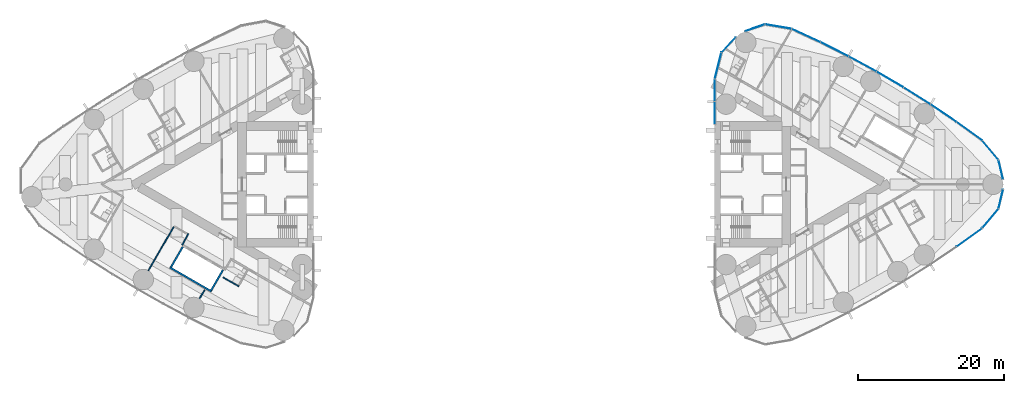
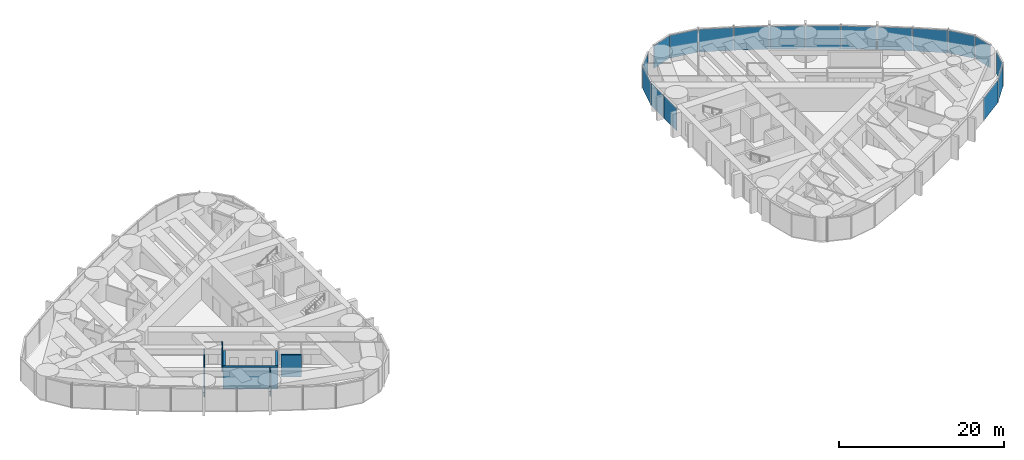
# One storey, part 11 of 19: 18 plates, 7 walls, 3 elements without a shape of their own.
"""IFC4 building model written with IfcOpenShell, lengths in metres."""

from ifc_helpers import new_model, si_unit, direction, frame, frame_2d, origin, origin_2d, place, context, subcontext, project, spatial, rectangle, extrude, material, layer, layer_set, type_object, element, aggregate, save


model = new_model("IFC4")

# Units and contexts
model_context = context("Model", 3, precision=1e-05, world=origin(), true_north=direction((0.0, 1.0)))
body_context = subcontext(model_context, "Body", "Model", "MODEL_VIEW")
ifc_project = project(units=[si_unit("LENGTHUNIT", "METRE"), si_unit("AREAUNIT", "SQUARE_METRE"), si_unit("VOLUMEUNIT", "CUBIC_METRE"), si_unit("PLANEANGLEUNIT", "RADIAN"), si_unit("MASSUNIT", "GRAM", prefix="KILO")], contexts=[model_context])

# Site, building, storey
site_placement = place(None, origin())
site = spatial("IfcSite", under=ifc_project, at=site_placement, CompositionType="ELEMENT")
building_placement = place(site_placement, origin())
building = spatial("IfcBuilding", under=site, at=building_placement, Name="Lancet Gate Hotel", CompositionType="ELEMENT")
storey_placement = place(building_placement, frame((0.0, 0.0, 177.300048828125)))
storey = spatial("IfcBuildingStorey", under=building, at=storey_placement, Name="L47", CompositionType="ELEMENT", Elevation=177.300048828125)

# Curtain wall, plates
ifc_material_1 = material(Name="Aluminium curtain wall", Category="aluminium")
curtain_wall_type = type_object("IfcCurtainWallType", Name="Tower unitised curtain wall", PredefinedType="USERDEFINED", material=ifc_material_1)
curtain_wall_1_placement = place(storey_placement, origin())
curtain_wall_1 = element("IfcCurtainWall", 1, at=curtain_wall_1_placement, inside=storey, type_object=curtain_wall_type, Name="T2 L47 curtain wall 2", ObjectType="UNITISED CURTAIN WALL", PredefinedType="USERDEFINED")
ifc_material_2 = material(Name="Glass double glazed unit 8-16-6", Category="glass")
ifc_layer_1 = layer(ifc_material_2, 0.030029296875)
ifc_layer_set_1 = layer_set([ifc_layer_1], Name="Vision panel double glazed")
plate_type = type_object("IfcPlateType", Name="Vision panel double glazed", PredefinedType="CURTAIN_PANEL", material=ifc_layer_set_1)
plate_1_placement = place(storey_placement, frame((62.417236328125, -7.279541015625, 0.0), z_axis=(0.0, 0.0, 1.0), x_axis=(0.810891442127, 0.585196607206, 0.0)))
plate_1 = element("IfcPlate", 2, at=plate_1_placement, type_object=plate_type, Name="T2 L47 curtain wall 2 panel 9", PredefinedType="CURTAIN_PANEL", context=body_context, shape_type="SweptSolid", body=[
    extrude(rectangle(XDim=4.26904296875, YDim=0.030029296875, at=origin_2d()), origin(), (0.0, 0.0, 1.0), 3.35009765625),
])
plate_2_placement = place(storey_placement, frame((65.283935546875, -4.68701171875, 0.0), z_axis=(0.0, 0.0, 1.0), x_axis=(0.642198636854, 0.766538264422, 0.0)))
plate_2 = element("IfcPlate", 3, at=plate_2_placement, type_object=plate_type, Name="T2 L47 curtain wall 2 panel 10", PredefinedType="CURTAIN_PANEL", context=body_context, shape_type="SweptSolid", body=[
    extrude(rectangle(XDim=3.390380859375, YDim=0.030029296875, at=origin_2d()), origin(), (0.0, 0.0, 1.0), 3.35009765625),
])
plate_3_placement = place(storey_placement, frame((66.710693359375, -2.0234375, 0.0), z_axis=(0.0, 0.0, 1.0), x_axis=(0.230366568544, 0.973103922558, 0.0)))
plate_3 = element("IfcPlate", 4, at=plate_3_placement, type_object=plate_type, Name="T2 L47 curtain wall 2 panel 11", PredefinedType="CURTAIN_PANEL", context=body_context, shape_type="SweptSolid", body=[
    extrude(rectangle(XDim=2.687255859375, YDim=0.030029296875, at=origin_2d()), origin(), (0.0, 0.0, 1.0), 3.35009765625),
])
aggregate(curtain_wall_1, [plate_1, plate_2, plate_3])

curtain_wall_2_placement = place(storey_placement, origin())
curtain_wall_2 = element("IfcCurtainWall", 5, at=curtain_wall_2_placement, inside=storey, type_object=curtain_wall_type, Name="T2 L47 curtain wall 3", ObjectType="UNITISED CURTAIN WALL", PredefinedType="USERDEFINED")
plate_4_placement = place(storey_placement, frame((66.710693359375, 2.0234375, 0.0), z_axis=(0.0, 0.0, 1.0), x_axis=(-0.230366568544, 0.973103922558, 0.0)))
plate_4 = element("IfcPlate", 6, at=plate_4_placement, type_object=plate_type, Name="T2 L47 curtain wall 3 panel 1", PredefinedType="CURTAIN_PANEL", context=body_context, shape_type="SweptSolid", body=[
    extrude(rectangle(XDim=2.687255859375, YDim=0.030029296875, at=origin_2d()), origin(), (0.0, 0.0, 1.0), 3.35009765625),
])
plate_5_placement = place(storey_placement, frame((65.283935546875, 4.68701171875, 0.0), z_axis=(0.0, 0.0, 1.0), x_axis=(-0.642198636854, 0.766538264422, 0.0)))
plate_5 = element("IfcPlate", 7, at=plate_5_placement, type_object=plate_type, Name="T2 L47 curtain wall 3 panel 2", PredefinedType="CURTAIN_PANEL", context=body_context, shape_type="SweptSolid", body=[
    extrude(rectangle(XDim=3.390380859375, YDim=0.030029296875, at=origin_2d()), origin(), (0.0, 0.0, 1.0), 3.35009765625),
])
plate_6_placement = place(storey_placement, frame((62.417236328125, 7.279541015625, 0.0), z_axis=(0.0, 0.0, 1.0), x_axis=(-0.810891442127, 0.585196607206, 0.0)))
plate_6 = element("IfcPlate", 8, at=plate_6_placement, type_object=plate_type, Name="T2 L47 curtain wall 3 panel 3", PredefinedType="CURTAIN_PANEL", context=body_context, shape_type="SweptSolid", body=[
    extrude(rectangle(XDim=4.26904296875, YDim=0.030029296875, at=origin_2d()), origin(), (0.0, 0.0, 1.0), 3.35009765625),
])
plate_7_placement = place(storey_placement, frame((58.863525390625, 9.75927734375, 0.0), z_axis=(0.0, 0.0, 1.0), x_axis=(-0.829038793948, 0.559191092677, 0.0)))
plate_7 = element("IfcPlate", 9, at=plate_7_placement, type_object=plate_type, Name="T2 L47 curtain wall 3 panel 4", PredefinedType="CURTAIN_PANEL", context=body_context, shape_type="SweptSolid", body=[
    extrude(rectangle(XDim=4.26904296875, YDim=0.030029296875, at=origin_2d()), origin(), (0.0, 0.0, 1.0), 3.35009765625),
])
plate_8_placement = place(storey_placement, frame((55.233154296875, 12.125244140625, 0.0), z_axis=(0.0, 0.0, 1.0), x_axis=(-0.846352453444, 0.532623248225, 0.0)))
plate_8 = element("IfcPlate", 10, at=plate_8_placement, type_object=plate_type, Name="T2 L47 curtain wall 3 panel 5", PredefinedType="CURTAIN_PANEL", context=body_context, shape_type="SweptSolid", body=[
    extrude(rectangle(XDim=4.26904296875, YDim=0.030029296875, at=origin_2d()), origin(), (0.0, 0.0, 1.0), 3.35009765625),
])
plate_9_placement = place(storey_placement, frame((51.529296875, 14.374755859375, 0.0), z_axis=(0.0, 0.0, 1.0), x_axis=(-0.862815009772, 0.505519790822, 0.0)))
plate_9 = element("IfcPlate", 11, at=plate_9_placement, type_object=plate_type, Name="T2 L47 curtain wall 3 panel 6", PredefinedType="CURTAIN_PANEL", context=body_context, shape_type="SweptSolid", body=[
    extrude(rectangle(XDim=4.26904296875, YDim=0.030029296875, at=origin_2d()), origin(), (0.0, 0.0, 1.0), 3.35009765625),
])
plate_10_placement = place(storey_placement, frame((47.756103515625, 16.505859375, 0.0), z_axis=(0.0, 0.0, 1.0), x_axis=(-0.878409907967, 0.477907976063, 0.0)))
plate_10 = element("IfcPlate", 12, at=plate_10_placement, type_object=plate_type, Name="T2 L47 curtain wall 3 panel 7", PredefinedType="CURTAIN_PANEL", context=body_context, shape_type="SweptSolid", body=[
    extrude(rectangle(XDim=4.26904296875, YDim=0.030029296875, at=origin_2d()), origin(), (0.0, 0.0, 1.0), 3.35009765625),
])
plate_11_placement = place(storey_placement, frame((43.917236328125, 18.516357421875, 0.0), z_axis=(0.0, 0.0, 1.0), x_axis=(-0.893121465596, 0.449815570752, 0.0)))
plate_11 = element("IfcPlate", 13, at=plate_11_placement, type_object=plate_type, Name="T2 L47 curtain wall 3 panel 8", PredefinedType="CURTAIN_PANEL", context=body_context, shape_type="SweptSolid", body=[
    extrude(rectangle(XDim=4.26904296875, YDim=0.030029296875, at=origin_2d()), origin(), (0.0, 0.0, 1.0), 3.35009765625),
])
plate_12_placement = place(storey_placement, frame((40.0166015625, 20.40380859375, 0.0), z_axis=(0.0, 0.0, 1.0), x_axis=(-0.906934888522, 0.421270824982, 0.0)))
plate_12 = element("IfcPlate", 14, at=plate_12_placement, type_object=plate_type, Name="T2 L47 curtain wall 3 panel 9", PredefinedType="CURTAIN_PANEL", context=body_context, shape_type="SweptSolid", body=[
    extrude(rectangle(XDim=4.26904296875, YDim=0.030029296875, at=origin_2d()), origin(), (0.0, 0.0, 1.0), 3.35009765625),
])
plate_13_placement = place(storey_placement, frame((36.231689453125, 21.629638671875, 0.0), z_axis=(0.0, 0.0, 1.0), x_axis=(-0.985539649572, 0.169444973729, 0.0)))
plate_13 = element("IfcPlate", 15, at=plate_13_placement, type_object=plate_type, Name="T2 L47 curtain wall 3 panel 10", PredefinedType="CURTAIN_PANEL", context=body_context, shape_type="SweptSolid", body=[
    extrude(rectangle(XDim=3.62744140625, YDim=0.030029296875, at=origin_2d()), origin(), (0.0, 0.0, 1.0), 3.35009765625),
])
plate_14_placement = place(storey_placement, frame((33.02197265625, 21.470703125, 0.0), z_axis=(0.0, 0.0, 1.0), x_axis=(-0.946952368511, -0.321373943827, 0.0)))
plate_14 = element("IfcPlate", 16, at=plate_14_placement, type_object=plate_type, Name="T2 L47 curtain wall 3 panel 11", PredefinedType="CURTAIN_PANEL", context=body_context, shape_type="SweptSolid", body=[
    extrude(rectangle(XDim=2.871337890625, YDim=0.030029296875, at=origin_2d()), origin(), (0.0, 0.0, 1.0), 3.35009765625),
])
aggregate(curtain_wall_2, [plate_4, plate_5, plate_6, plate_7, plate_8, plate_9, plate_10, plate_11, plate_12, plate_13, plate_14])

curtain_wall_3_placement = place(storey_placement, origin())
curtain_wall_3 = element("IfcCurtainWall", 17, at=curtain_wall_3_placement, inside=storey, type_object=curtain_wall_type, Name="T2 L47 curtain wall 4", ObjectType="UNITISED CURTAIN WALL", PredefinedType="USERDEFINED")
plate_15_placement = place(storey_placement, frame((29.4052734375, 19.122314453125, 0.0), z_axis=(0.0, 0.0, 1.0), x_axis=(-0.67883123083, -0.734294327943, 0.0)))
plate_15 = element("IfcPlate", 18, at=plate_15_placement, type_object=plate_type, Name="T2 L47 curtain wall 4 panel 1", PredefinedType="CURTAIN_PANEL", context=body_context, shape_type="SweptSolid", body=[
    extrude(rectangle(XDim=2.87060546875, YDim=0.030029296875, at=origin_2d()), origin(), (0.0, 0.0, 1.0), 3.35009765625),
])
plate_16_placement = place(storey_placement, frame((27.95458984375, 16.2548828125, 0.0), z_axis=(0.0, 0.0, 1.0), x_axis=(-0.246166705764, -0.969227503207, 0.0)))
plate_16 = element("IfcPlate", 19, at=plate_16_placement, type_object=plate_type, Name="T2 L47 curtain wall 4 panel 2", PredefinedType="CURTAIN_PANEL", context=body_context, shape_type="SweptSolid", body=[
    extrude(rectangle(XDim=3.62744140625, YDim=0.030029296875, at=origin_2d()), origin(), (0.0, 0.0, 1.0), 3.35009765625),
])
plate_17_placement = place(storey_placement, frame((27.5, 12.899169921875, 0.0), z_axis=(0.0, 0.0, 1.0), x_axis=(0.0, -1.0, 0.0)))
plate_17 = element("IfcPlate", 20, at=plate_17_placement, type_object=plate_type, Name="T2 L47 curtain wall 4 panel 3", PredefinedType="CURTAIN_PANEL", context=body_context, shape_type="SweptSolid", body=[
    extrude(rectangle(XDim=3.06787109375, YDim=0.030029296875, at=origin_2d()), origin(), (0.0, 0.0, 1.0), 3.35009765625),
])
plate_18_placement = place(storey_placement, frame((27.5, 9.766357421875, 0.0), z_axis=(0.0, 0.0, 1.0), x_axis=(0.0, -1.0, 0.0)))
plate_18 = element("IfcPlate", 21, at=plate_18_placement, type_object=plate_type, Name="T2 L47 curtain wall 4 panel 4", PredefinedType="CURTAIN_PANEL", context=body_context, shape_type="SweptSolid", body=[
    extrude(rectangle(XDim=3.06787109375, YDim=0.030029296875, at=origin_2d()), origin(), (0.0, 0.0, 1.0), 3.35009765625),
])
aggregate(curtain_wall_3, [plate_15, plate_16, plate_17, plate_18])

# Walls
ifc_material_3 = material(Name="Moisture resistant board partition")
ifc_layer_2 = layer(ifc_material_3, 0.14990234375)
ifc_layer_set_2 = layer_set([ifc_layer_2], Name="Bathroom wall 150")
wall_type_1 = type_object("IfcWallType", Name="Bathroom wall 150", PredefinedType="PARTITIONING", material=ifc_layer_set_2)
wall_1_placement = place(storey_placement, frame((-37.738037109375, -13.9892578125, 0.0), z_axis=(0.0, 0.0, 1.0), x_axis=(-0.86604923931, 0.499958713387, 0.0)))
element("IfcWall", 22, at=wall_1_placement, inside=storey, type_object=wall_type_1, Name="T1 bathroom wall 150 L47", PredefinedType="PARTITIONING", context=body_context, shape_type="SweptSolid", body=[
    extrude(rectangle(XDim=2.474853515625, YDim=0.14990234375, at=frame_2d((1.2373046875, 0.0))), origin(), (0.0, 0.0, 1.0), 3.25),
])
ifc_material_4 = material(Name="Gypsum board partition")
ifc_layer_3 = layer(ifc_material_4, 0.25)
ifc_layer_set_3 = layer_set([ifc_layer_3], Name="Lift shaft partition 250")
wall_type_2 = type_object("IfcWallType", Name="Lift shaft partition 250", PredefinedType="PARTITIONING", material=ifc_layer_set_3)
wall_2_placement = place(storey_placement, frame((-41.482421875, -14.685791015625, 0.0), z_axis=(0.0, 0.0, 1.0), x_axis=(-0.86603344179, 0.499986077507, 0.0)))
element("IfcWall", 23, at=wall_2_placement, inside=storey, type_object=wall_type_2, Name="T1 lift shaft wall HL L47", PredefinedType="PARTITIONING", context=body_context, shape_type="SweptSolid", body=[
    extrude(rectangle(XDim=6.600341796875, YDim=0.25, at=frame_2d((3.30029296875, 0.0))), origin(), (0.0, 0.0, 1.0), 3.25),
])
for number, where, z_axis, x_axis, name in (
    (24, (-39.92822265625, -11.742919921875, 0.0), (0.0, 0.0, 1.0), (-0.499929347863, -0.866066190972, 0.0), "T1 lift shaft wall HL L47"),
    (25, (-45.427734375, -8.568115234375, 0.0), (0.0, 0.0, 1.0), (-0.499929347863, -0.866066190972, 0.0), "T1 lift shaft wall HL L47"),
):
    element("IfcWall", number, at=place(storey_placement, frame(where, z_axis=z_axis, x_axis=x_axis)), inside=storey, type_object=wall_type_2, Name=name, PredefinedType="PARTITIONING", context=body_context, shape_type="SweptSolid", body=[
        extrude(rectangle(XDim=3.20068359375, YDim=0.25, at=frame_2d((1.600341796875, 0.0))), origin(), (0.0, 0.0, 1.0), 3.25),
    ])
ifc_material_5 = material(Name="Gypsum board partition")
ifc_layer_4 = layer(ifc_material_5, 0.14990234375)
ifc_layer_set_4 = layer_set([ifc_layer_4], Name="Party wall 150")
wall_type_3 = type_object("IfcWallType", Name="Party wall 150", PredefinedType="PARTITIONING", material=ifc_layer_set_4)
wall_3_placement = place(storey_placement, frame((-46.6787109375, -5.8251953125, 0.0), z_axis=(0.0, 0.0, 1.0), x_axis=(-0.500006839597, -0.866021454905, 0.0)))
element("IfcWall", 26, at=wall_3_placement, inside=storey, type_object=wall_type_3, Name="T1 party wall 150 L47", PredefinedType="PARTITIONING", context=body_context, shape_type="SweptSolid", body=[
    extrude(rectangle(XDim=6.9111328125, YDim=0.14990234375, at=frame_2d((3.45556640625, 0.0))), origin(), (0.0, 0.0, 1.0), 2.300048828125),
])
wall_4_placement = place(storey_placement, frame((-42.429443359375, -14.45654296875, 0.0), z_axis=(0.0, 0.0, 1.0), x_axis=(-0.5000578829, -0.865991982497, 0.0)))
element("IfcWall", 27, at=wall_4_placement, inside=storey, type_object=wall_type_3, Name="T1 party wall 150 L47", PredefinedType="PARTITIONING", context=body_context, shape_type="SweptSolid", body=[
    extrude(rectangle(XDim=1.406982421875, YDim=0.14990234375, at=frame_2d((0.70361328125, 0.0))), origin(), (0.0, 0.0, 1.0), 3.25),
])
ifc_material_6 = material(Name="Gypsum board partition")
ifc_layer_5 = layer(ifc_material_6, 0.14990234375)
ifc_layer_set_5 = layer_set([ifc_layer_5], Name="Service room wall 150")
wall_type_4 = type_object("IfcWallType", Name="Service room wall 150", PredefinedType="PARTITIONING", material=ifc_layer_set_5)
wall_5_placement = place(storey_placement, frame((-44.652099609375, -6.764404296875, 0.0), z_axis=(0.0, 0.0, 1.0), x_axis=(-0.485424724123, -0.874278466629, 0.0)))
element("IfcWall", 28, at=wall_5_placement, inside=storey, type_object=wall_type_4, Name="T1 service room wall 150 L47", PredefinedType="PARTITIONING", context=body_context, shape_type="SweptSolid", body=[
    extrude(rectangle(XDim=1.80517578125, YDim=0.14990234375, at=frame_2d((0.902587890625, 0.0))), origin(), (0.0, 0.0, 1.0), 3.25),
])

save(model, "model.ifc")
